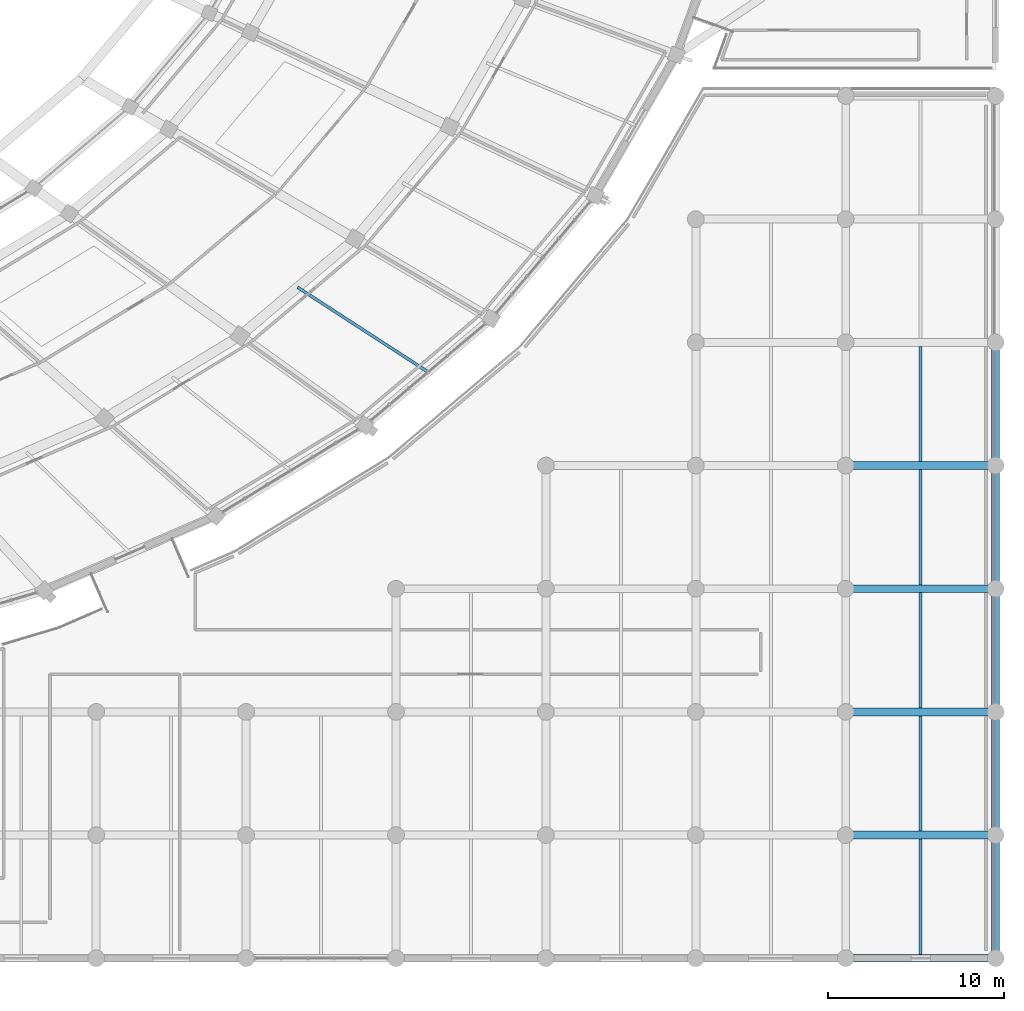
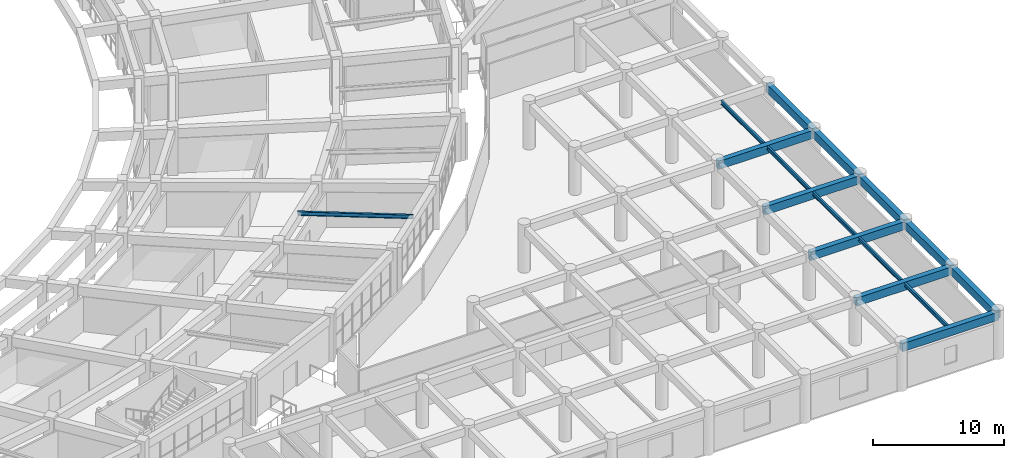
# One storey, part 43 of 145: 16 beams.
"""IFC4 building model written with IfcOpenShell, lengths in metres."""

from ifc_helpers import new_model, si_unit, direction, frame, origin, origin_2d, place, context, subcontext, project, spatial, rectangle, i_section, extrude, material, material_profile, profile_set, type_object, element, save


model = new_model("IFC4")

# Units and contexts
model_context = context("Model", 3, precision=1e-05, world=origin(), true_north=direction((0.0, 1.0)))
body_context = subcontext(model_context, "Body", "Model", "MODEL_VIEW")
ifc_project = project(units=[si_unit("LENGTHUNIT", "METRE"), si_unit("AREAUNIT", "SQUARE_METRE"), si_unit("VOLUMEUNIT", "CUBIC_METRE"), si_unit("PLANEANGLEUNIT", "RADIAN"), si_unit("MASSUNIT", "GRAM", prefix="KILO")], contexts=[model_context])

# Site, building, storey
site_placement = place(None, origin())
site = spatial("IfcSite", under=ifc_project, at=site_placement, CompositionType="ELEMENT")
building_placement = place(site_placement, origin())
building = spatial("IfcBuilding", under=site, at=building_placement, Name="Mphavela Belvedere Stadium", CompositionType="ELEMENT")
storey_placement = place(building_placement, frame((0.0, 0.0, 10.199951171875)))
storey = spatial("IfcBuildingStorey", under=building, at=storey_placement, Name="L02", CompositionType="ELEMENT", Elevation=10.199951171875)

# Beams
ifc_material_1 = material(Name="Steel S355", Category="steel")
ifc_material_profile_1 = material_profile(ifc_material_1, i_section(OverallWidth=0.169921875, OverallDepth=0.360107421875, WebThickness=0.008056640625, FlangeThickness=0.0126953125, at=origin_2d()), Name="IPE 360")
ifc_profile_set_1 = profile_set([ifc_material_profile_1], Name="Steel S355")
beam_type_1 = type_object("IfcBeamType", Name="BM-JOIST-IPE360", PredefinedType="JOIST", material=ifc_profile_set_1)
beam_placement = place(storey_placement, frame((190.330810546875, 38.127197265625, 4.070068359375), z_axis=(0.838915278194, -0.544262028818, 0.0), x_axis=(0.544262028818, 0.838915278194, 0.0)))
element("IfcBeam", 1, at=beam_placement, inside=storey, type_object=beam_type_1, Name="Concourse floor joist L02-43", PredefinedType="JOIST", context=body_context, shape_type="SweptSolid", body=[
    extrude(i_section(OverallWidth=0.169921875, OverallDepth=0.360107421875, WebThickness=0.008056640625, FlangeThickness=0.0126953125, at=origin_2d()), origin(), (0.0, 0.0, 1.0), 8.840087890625),
])
for number, where, z_axis, x_axis, name in (
    (2, (225.740478515625, 0.22509765625, 4.06005859375), (0.0, 1.0, 0.0), (-1.0, 0.0, 0.0), "South Axial Triumphal Peristyle Portico secondary joist L02 27-1"),
    (3, (225.740478515625, 7.22509765625, 4.06005859375), (0.0, 1.0, 0.0), (-1.0, 0.0, 0.0), "South Axial Triumphal Peristyle Portico secondary joist L02 27-2"),
    (4, (225.740478515625, 14.22509765625, 4.06005859375), (0.0, 1.0, 0.0), (-1.0, 0.0, 0.0), "South Axial Triumphal Peristyle Portico secondary joist L02 27-3"),
    (5, (225.740478515625, 21.22509765625, 4.06005859375), (0.0, 1.0, 0.0), (-1.0, 0.0, 0.0), "South Axial Triumphal Peristyle Portico secondary joist L02 27-4"),
    (6, (225.740478515625, 28.22509765625, 4.06005859375), (0.0, 1.0, 0.0), (-1.0, 0.0, 0.0), "South Axial Triumphal Peristyle Portico secondary joist L02 27-5"),
):
    element("IfcBeam", number, at=place(storey_placement, frame(where, z_axis=z_axis, x_axis=x_axis)), inside=storey, type_object=beam_type_1, Name=name, PredefinedType="JOIST", context=body_context, shape_type="SweptSolid", body=[
        extrude(i_section(OverallWidth=0.169921875, OverallDepth=0.360107421875, WebThickness=0.008056640625, FlangeThickness=0.0126953125, at=origin_2d()), origin(), (0.0, 0.0, 1.0), 6.5498046875),
    ])
ifc_material_2 = material(Name="Concrete C40/50", Category="concrete")
ifc_material_profile_2 = material_profile(ifc_material_2, rectangle(XDim=0.449951171875, YDim=0.75, at=origin_2d()), Name="RC 450x750")
ifc_profile_set_2 = profile_set([ifc_material_profile_2], Name="Concrete C40/50")
beam_type_2 = type_object("IfcBeamType", Name="BM-RC450x750", PredefinedType="BEAM", material=ifc_profile_set_2)
for number, where, z_axis, x_axis, name in (
    (7, (221.48095703125, 0.0, 3.864990234375), (1.0, 0.0, 0.0), (0.0, 1.0, 0.0), "South Axial Triumphal Peristyle Portico entablature beam X L02 27-1"),
    (8, (221.48095703125, 7.0, 3.864990234375), (1.0, 0.0, 0.0), (0.0, 1.0, 0.0), "South Axial Triumphal Peristyle Portico entablature beam X L02 27-2"),
    (9, (221.48095703125, 14.0, 3.864990234375), (1.0, 0.0, 0.0), (0.0, 1.0, 0.0), "South Axial Triumphal Peristyle Portico entablature beam X L02 27-3"),
    (10, (221.48095703125, 21.0, 3.864990234375), (1.0, 0.0, 0.0), (0.0, 1.0, 0.0), "South Axial Triumphal Peristyle Portico entablature beam X L02 27-4"),
    (11, (221.48095703125, 28.0, 3.864990234375), (1.0, 0.0, 0.0), (0.0, 1.0, 0.0), "South Axial Triumphal Peristyle Portico entablature beam X L02 27-5"),
):
    element("IfcBeam", number, at=place(storey_placement, frame(where, z_axis=z_axis, x_axis=x_axis)), inside=storey, type_object=beam_type_2, Name=name, PredefinedType="BEAM", context=body_context, shape_type="SweptSolid", body=[
        extrude(rectangle(XDim=0.449951171875, YDim=0.75, at=origin_2d()), origin(), (0.0, 0.0, 1.0), 8.51904296875),
    ])
for number, where, z_axis, x_axis, name in (
    (12, (230.0, 0.0, 3.864990234375), (0.0, 1.0, 0.0), (-1.0, 0.0, 0.0), "South Axial Triumphal Peristyle Portico entablature beam Y L02 28-1"),
    (13, (230.0, 7.0, 3.864990234375), (0.0, 1.0, 0.0), (-1.0, 0.0, 0.0), "South Axial Triumphal Peristyle Portico entablature beam Y L02 28-2"),
    (14, (230.0, 14.0, 3.864990234375), (0.0, 1.0, 0.0), (-1.0, 0.0, 0.0), "South Axial Triumphal Peristyle Portico entablature beam Y L02 28-3"),
    (15, (230.0, 21.0, 3.864990234375), (0.0, 1.0, 0.0), (-1.0, 0.0, 0.0), "South Axial Triumphal Peristyle Portico entablature beam Y L02 28-4"),
    (16, (230.0, 28.0, 3.864990234375), (0.0, 1.0, 0.0), (-1.0, 0.0, 0.0), "South Axial Triumphal Peristyle Portico entablature beam Y L02 28-5"),
):
    element("IfcBeam", number, at=place(storey_placement, frame(where, z_axis=z_axis, x_axis=x_axis)), inside=storey, type_object=beam_type_2, Name=name, PredefinedType="BEAM", context=body_context, shape_type="SweptSolid", body=[
        extrude(rectangle(XDim=0.449951171875, YDim=0.75, at=origin_2d()), origin(), (0.0, 0.0, 1.0), 7.0),
    ])

save(model, "model.ifc")
